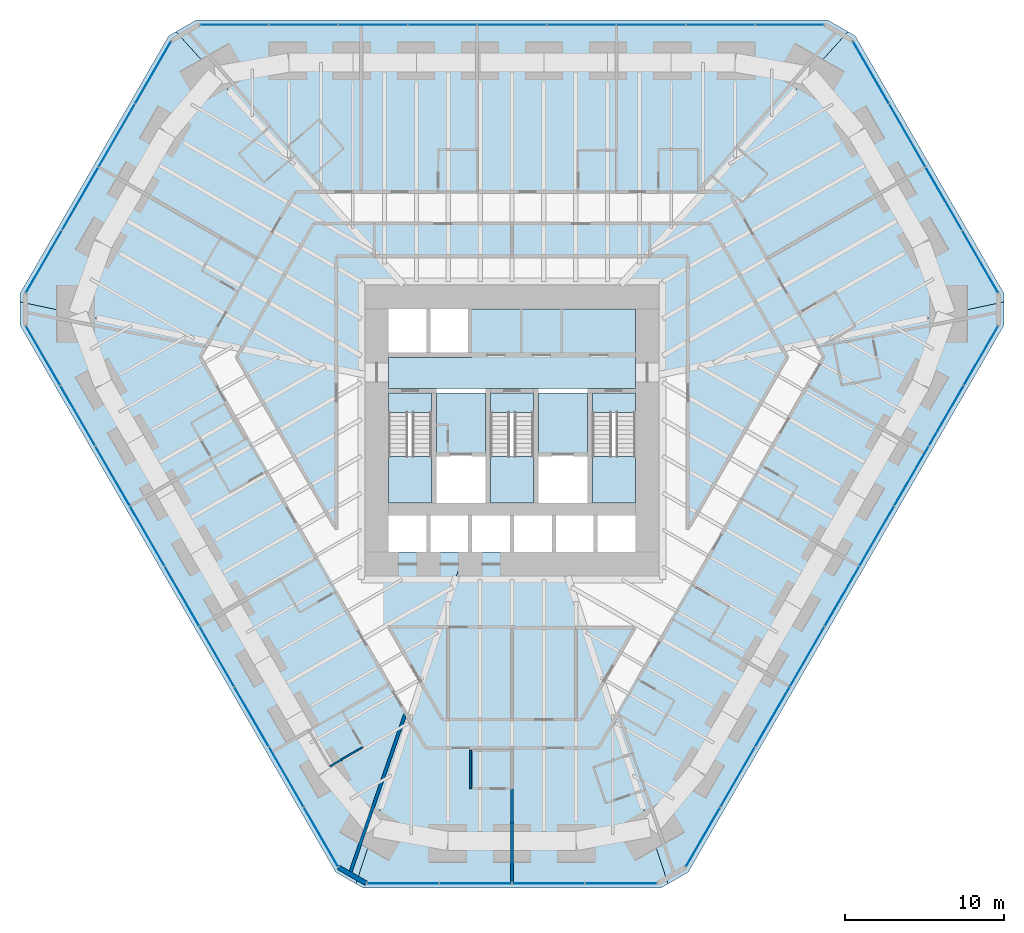
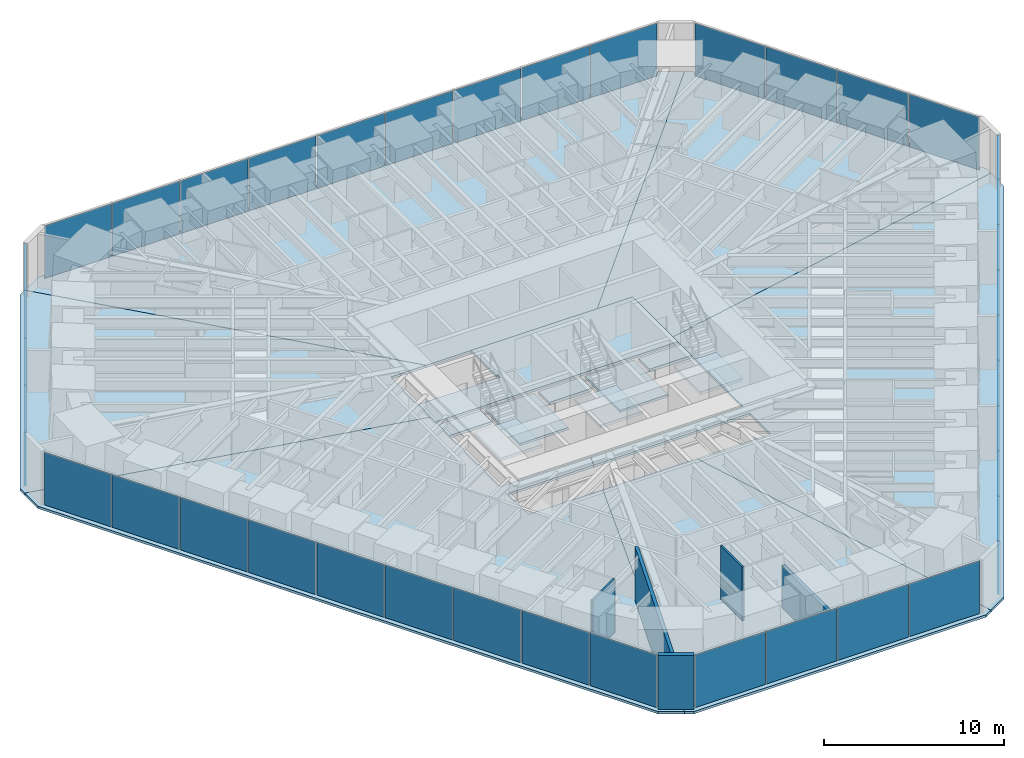
# One storey, part 10 of 17: 39 plates, 15 slabs, 5 walls, 9 elements without a shape of their own.
"""IFC4 building model written with IfcOpenShell, lengths in metres."""

import ifcopenshell
import ifcopenshell.guid

model = None  # the IFC model being written
_history = None  # IfcOwnerHistory: only IFC2X3 demands one
_inside = {}  # id of a spatial element -> (the spatial element, [elements in it])
_under = {}  # id of a project, library or spatial element -> (it, [spatial elements below it])
_declared = {}  # id of a project -> (the project, [libraries it declares])
_typed = {}  # id of a type object -> (the type object, [elements of that type])
_made_of = {}  # id of a material, layer set ... -> (it, [elements and type objects made of it])


def new_model(schema):
    """Start an empty IFC model of exactly this schema.

    Asked for "IFC4X3", IfcOpenShell would pick the latest addendum, in which some entities
    have other attributes; the version numbers below select the first issue.
    IFC2X3 requires an IfcOwnerHistory on every rooted entity: one is made here for all.
    """
    global model, _history
    if schema == "IFC4X3":
        model = ifcopenshell.file(schema_version=(4, 3, 0, 0))
    else:
        model = ifcopenshell.file(schema=schema)
    _inside.clear()
    _under.clear()
    _declared.clear()
    _typed.clear()
    _made_of.clear()
    _history = None
    if model.schema == "IFC2X3":
        org = make("IfcOrganization", Name="unknown")
        user = make(
            "IfcPersonAndOrganization",
            ThePerson=make("IfcPerson", FamilyName="unknown"),
            TheOrganization=org,
        )
        app = make(
            "IfcApplication",
            ApplicationDeveloper=org,
            Version="unknown",
            ApplicationFullName="unknown",
            ApplicationIdentifier="unknown",
        )
        _history = make(
            "IfcOwnerHistory",
            OwningUser=user,
            OwningApplication=app,
            ChangeAction="ADDED",
            CreationDate=0,
        )
    return model


def make(cls, **values):
    """One entity of the class cls with the attributes given. An attribute that is None is left unset."""
    return model.create_entity(
        cls, **{name: value for name, value in values.items() if value is not None}
    )


def rooted(cls, **values):
    """An entity with a GlobalId (a new one), such as an element, a storey or a relation."""
    return make(cls, GlobalId=ifcopenshell.guid.new(), OwnerHistory=_history, **values)


def si_unit(unit_type, name, prefix=None):
    """IfcSIUnit, for example si_unit("LENGTHUNIT", "METRE", prefix="MILLI")."""
    return make("IfcSIUnit", UnitType=unit_type, Prefix=prefix, Name=name)


def assignment(units):
    """IfcUnitAssignment: the units of a project."""
    return None if units is None else make("IfcUnitAssignment", Units=units)


def point(xyz):
    """IfcCartesianPoint."""
    return None if xyz is None else make("IfcCartesianPoint", Coordinates=xyz)


def direction(xyz):
    """IfcDirection."""
    return None if xyz is None else make("IfcDirection", DirectionRatios=xyz)


def frame(location, z_axis=None, x_axis=None):
    """IfcAxis2Placement3D, a coordinate frame: its origin and axes. An axis left out is left unset."""
    return make(
        "IfcAxis2Placement3D",
        Location=point(location),
        Axis=direction(z_axis),
        RefDirection=direction(x_axis),
    )


def frame_2d(location, x_axis=None):
    """IfcAxis2Placement2D, a coordinate frame in the plane: its origin and x axis."""
    return make(
        "IfcAxis2Placement2D", Location=point(location), RefDirection=direction(x_axis)
    )


def origin():
    """The frame at (0, 0, 0) with its axes left unset."""
    return frame((0.0, 0.0, 0.0))


def origin_2d():
    """The frame at (0, 0) in the plane with its x axis left unset."""
    return frame_2d((0.0, 0.0))


def place(relative_to, where):
    """IfcLocalPlacement: puts the frame where relative to a parent placement (None: the world)."""
    return make(
        "IfcLocalPlacement", PlacementRelTo=relative_to, RelativePlacement=where
    )


def context(
    kind, dimensions, precision=None, world=None, true_north=None, identifier=None
):
    """IfcGeometricRepresentationContext, for example the 3D "Model" context."""
    return make(
        "IfcGeometricRepresentationContext",
        ContextIdentifier=identifier,
        ContextType=kind,
        CoordinateSpaceDimension=dimensions,
        Precision=precision,
        WorldCoordinateSystem=world,
        TrueNorth=true_north,
    )


def subcontext(parent, identifier, kind, view, scale=None):
    """IfcGeometricRepresentationSubContext, for example "Body" below "Model"."""
    return make(
        "IfcGeometricRepresentationSubContext",
        ContextIdentifier=identifier,
        ContextType=kind,
        ParentContext=parent,
        TargetScale=scale,
        TargetView=view,
    )


def project(units=None, contexts=None):
    """IfcProject with its units and contexts."""
    return rooted(
        "IfcProject",
        Name="project",
        RepresentationContexts=contexts,
        UnitsInContext=assignment(units),
    )


def spatial(cls, under=None, at=None, **own):
    """A site, building, storey or space (cls), placed at a placement, below another one or the project."""
    s = rooted(cls, ObjectPlacement=at, **own)
    if under is not None:
        _under.setdefault(under.id(), (under, []))[1].append(s)
    return s


def polyline(points):
    """IfcPolyline through the points."""
    return make("IfcPolyline", Points=[point(p) for p in points])


def profile(cls, at=None, kind="AREA", **sizes):
    """A parametric profile (cls). Its sizes go by their IFC names, for example OverallWidth=200.0."""
    return make(cls, ProfileType=kind, Position=at, **sizes)


def rectangle(**sizes):
    """IfcRectangleProfileDef."""
    return profile("IfcRectangleProfileDef", **sizes)


def outline(outer, holes=None, kind="AREA"):
    """IfcArbitraryClosedProfileDef: a profile drawn as a closed curve; with holes, ...WithVoids."""
    if holes is None:
        return make("IfcArbitraryClosedProfileDef", ProfileType=kind, OuterCurve=outer)
    return make(
        "IfcArbitraryProfileDefWithVoids",
        ProfileType=kind,
        OuterCurve=outer,
        InnerCurves=holes,
    )


def extrude(swept, where, along, depth):
    """IfcExtrudedAreaSolid: the profile swept, set in the frame where, extruded along a direction by depth."""
    return make(
        "IfcExtrudedAreaSolid",
        SweptArea=swept,
        Position=where,
        ExtrudedDirection=direction(along),
        Depth=depth,
    )


def shape(context_of_items, identifier, shape_type, items):
    """IfcShapeRepresentation: the items that make up one representation, for example the "Body"."""
    return make(
        "IfcShapeRepresentation",
        ContextOfItems=context_of_items,
        RepresentationIdentifier=identifier,
        RepresentationType=shape_type,
        Items=items,
    )


def material(Name=None, Category=None):
    """IfcMaterial."""
    return make("IfcMaterial", Name=Name, Category=Category)


def layer(
    of_material, thickness, ventilated=None, Name=None, Category=None, Priority=None
):
    """IfcMaterialLayer: one layer of a wall or slab, of a material (None: an air gap)."""
    return make(
        "IfcMaterialLayer",
        Material=of_material,
        LayerThickness=thickness,
        IsVentilated=ventilated,
        Name=Name,
        Category=Category,
        Priority=Priority,
    )


def layer_set(layers, Name=None):
    """IfcMaterialLayerSet."""
    return make("IfcMaterialLayerSet", MaterialLayers=layers, LayerSetName=Name)


def made_of(thing, what):
    """Note that an element or type object is made of a material, layer set ...; save() writes the relation."""
    if what is not None:
        _made_of.setdefault(what.id(), (what, []))[1].append(thing)
    return thing


def type_object(cls, material=None, **own):
    """A type object (cls), such as IfcWallType, which elements share."""
    return made_of(rooted(cls, **own), material)


def element(
    cls,
    number,
    at=None,
    inside=None,
    cuts=None,
    type_object=None,
    material=None,
    context=None,
    identifier="Body",
    shape_type=None,
    held_by="IfcProductDefinitionShape",
    body=None,
    shapes=None,
    **own,
):
    """One element of the class cls, such as IfcWall. Its Tag is "e" and its number.

    at: its placement. inside: the storey or other place that contains it. cuts: it is an
    opening in that element (IfcRelVoidsElement). A single representation is given by context,
    identifier, shape_type and body (its items); several are given by shapes. held_by: the class
    of the entity that holds the representations. save() writes the other relations.
    """
    e = rooted(cls, Tag="e%d" % number, ObjectPlacement=at, **own)
    if body is not None:
        shapes = [shape(context, identifier, shape_type, body)]
    if shapes is not None:
        e.Representation = make(held_by, Representations=shapes)
    if inside is not None:
        _inside.setdefault(inside.id(), (inside, []))[1].append(e)
    if cuts is not None:
        rooted(
            "IfcRelVoidsElement", RelatingBuildingElement=cuts, RelatedOpeningElement=e
        )
    if type_object is not None:
        _typed.setdefault(type_object.id(), (type_object, []))[1].append(e)
    return made_of(e, material)


def aggregate(whole, parts):
    """IfcRelAggregates: a whole, such as a stair, and the parts it consists of."""
    return rooted("IfcRelAggregates", RelatingObject=whole, RelatedObjects=parts)


def save(model, path):
    """Write the relations noted so far, then the file.

    IfcRelAggregates (storeys below a building ...), IfcRelContainedInSpatialStructure (elements
    in a storey), IfcRelDefinesByType, IfcRelAssociatesMaterial and IfcRelDeclares: one each for
    every whole, place, type object, material and project.
    """
    for whole, parts in _under.values():
        aggregate(whole, parts)
    for where, things in _inside.values():
        rooted(
            "IfcRelContainedInSpatialStructure",
            RelatedElements=things,
            RelatingStructure=where,
        )
    for kind, things in _typed.values():
        rooted("IfcRelDefinesByType", RelatedObjects=things, RelatingType=kind)
    for what, things in _made_of.values():
        rooted("IfcRelAssociatesMaterial", RelatedObjects=things, RelatingMaterial=what)
    for by, libraries in _declared.values():
        rooted("IfcRelDeclares", RelatingContext=by, RelatedDefinitions=libraries)
    model.write(path)


model = new_model("IFC4")

# Units and contexts
model_context = context("Model", 3, precision=1e-05, world=origin(), true_north=direction((0.0, 1.0)))
body_context = subcontext(model_context, "Body", "Model", "MODEL_VIEW")
ifc_project = project(units=[si_unit("LENGTHUNIT", "METRE"), si_unit("AREAUNIT", "SQUARE_METRE"), si_unit("VOLUMEUNIT", "CUBIC_METRE"), si_unit("PLANEANGLEUNIT", "RADIAN"), si_unit("MASSUNIT", "GRAM", prefix="KILO")], contexts=[model_context])

# Site, building, storey
site_placement = place(None, origin())
site = spatial("IfcSite", under=ifc_project, at=site_placement, CompositionType="ELEMENT")
building_placement = place(site_placement, origin())
building = spatial("IfcBuilding", under=site, at=building_placement, Name="Sandreach Pilgrim Tower", CompositionType="ELEMENT")
storey_placement = place(building_placement, frame((0.0, 0.0, 83.800048828125)))
storey = spatial("IfcBuildingStorey", under=building, at=storey_placement, Name="L20", CompositionType="ELEMENT", Elevation=83.800048828125)

# Curtain wall, plates
ifc_material_1 = material(Name="Aluminium framed curtain wall", Category="aluminium")
curtain_wall_type = type_object("IfcCurtainWallType", Name="Hostel tower curtain wall", PredefinedType="NOTDEFINED", material=ifc_material_1)
curtain_wall_1_placement = place(storey_placement, origin())
curtain_wall_1 = element("IfcCurtainWall", 1, at=curtain_wall_1_placement, inside=storey, type_object=curtain_wall_type, Name="CW-1 L20 N", PredefinedType="NOTDEFINED")
ifc_material_2 = material(Name="Insulating glass unit 6 heat-strengthened + 12 argon + 6 heat-strengthened", Category="glass")
ifc_layer_1 = layer(ifc_material_2, 0.02392578125)
ifc_layer_set_1 = layer_set([ifc_layer_1], Name="CW-1 panel")
plate_type = type_object("IfcPlateType", Name="CW-1 panel", PredefinedType="CURTAIN_PANEL", material=ifc_layer_set_1)
plate_1_placement = place(storey_placement, frame((-17.469970703125, 23.94873046875, 0.0), z_axis=(0.0, 0.0, 1.0), x_axis=(1.0, 0.0, 0.0)))
plate_1 = element("IfcPlate", 2, at=plate_1_placement, type_object=plate_type, Name="CW-1 panel 1", PredefinedType="CURTAIN_PANEL", context=body_context, shape_type="SweptSolid", body=[
    extrude(rectangle(XDim=4.274169921875, YDim=0.02392578125, at=origin_2d()), origin(), (0.0, 0.0, 1.0), 3.570068359375),
])
plate_2_placement = place(storey_placement, frame((-13.11474609375, 23.94873046875, 0.0), z_axis=(0.0, 0.0, 1.0), x_axis=(1.0, 0.0, 0.0)))
plate_2 = element("IfcPlate", 3, at=plate_2_placement, type_object=plate_type, Name="CW-1 panel 2", PredefinedType="CURTAIN_PANEL", context=body_context, shape_type="SweptSolid", body=[
    extrude(rectangle(XDim=4.306640625, YDim=0.02392578125, at=origin_2d()), origin(), (0.0, 0.0, 1.0), 3.570068359375),
])
plate_3_placement = place(storey_placement, frame((-8.7431640625, 23.94873046875, 0.0), z_axis=(0.0, 0.0, 1.0), x_axis=(1.0, 0.0, 0.0)))
plate_3 = element("IfcPlate", 4, at=plate_3_placement, type_object=plate_type, Name="CW-1 panel 3", PredefinedType="CURTAIN_PANEL", context=body_context, shape_type="SweptSolid", body=[
    extrude(rectangle(XDim=4.306640625, YDim=0.02392578125, at=origin_2d()), origin(), (0.0, 0.0, 1.0), 3.570068359375),
])
plate_4_placement = place(storey_placement, frame((-4.37158203125, 23.94873046875, 0.0), z_axis=(0.0, 0.0, 1.0), x_axis=(1.0, 0.0, 0.0)))
plate_4 = element("IfcPlate", 5, at=plate_4_placement, type_object=plate_type, Name="CW-1 panel 4", PredefinedType="CURTAIN_PANEL", context=body_context, shape_type="SweptSolid", body=[
    extrude(rectangle(XDim=4.306640625, YDim=0.02392578125, at=origin_2d()), origin(), (0.0, 0.0, 1.0), 3.570068359375),
])
plate_5_placement = place(storey_placement, frame((0.0, 23.94873046875, 0.0), z_axis=(0.0, 0.0, 1.0), x_axis=(1.0, 0.0, 0.0)))
plate_5 = element("IfcPlate", 6, at=plate_5_placement, type_object=plate_type, Name="CW-1 panel 5", PredefinedType="CURTAIN_PANEL", context=body_context, shape_type="SweptSolid", body=[
    extrude(rectangle(XDim=4.306640625, YDim=0.02392578125, at=origin_2d()), origin(), (0.0, 0.0, 1.0), 3.570068359375),
])
plate_6_placement = place(storey_placement, frame((4.37158203125, 23.94873046875, 0.0), z_axis=(0.0, 0.0, 1.0), x_axis=(1.0, 0.0, 0.0)))
plate_6 = element("IfcPlate", 7, at=plate_6_placement, type_object=plate_type, Name="CW-1 panel 6", PredefinedType="CURTAIN_PANEL", context=body_context, shape_type="SweptSolid", body=[
    extrude(rectangle(XDim=4.306640625, YDim=0.02392578125, at=origin_2d()), origin(), (0.0, 0.0, 1.0), 3.570068359375),
])
plate_7_placement = place(storey_placement, frame((8.7431640625, 23.94873046875, 0.0), z_axis=(0.0, 0.0, 1.0), x_axis=(1.0, 0.0, 0.0)))
plate_7 = element("IfcPlate", 8, at=plate_7_placement, type_object=plate_type, Name="CW-1 panel 7", PredefinedType="CURTAIN_PANEL", context=body_context, shape_type="SweptSolid", body=[
    extrude(rectangle(XDim=4.306640625, YDim=0.02392578125, at=origin_2d()), origin(), (0.0, 0.0, 1.0), 3.570068359375),
])
plate_8_placement = place(storey_placement, frame((13.11474609375, 23.94873046875, 0.0), z_axis=(0.0, 0.0, 1.0), x_axis=(1.0, 0.0, 0.0)))
plate_8 = element("IfcPlate", 9, at=plate_8_placement, type_object=plate_type, Name="CW-1 panel 8", PredefinedType="CURTAIN_PANEL", context=body_context, shape_type="SweptSolid", body=[
    extrude(rectangle(XDim=4.306640625, YDim=0.02392578125, at=origin_2d()), origin(), (0.0, 0.0, 1.0), 3.570068359375),
])
plate_9_placement = place(storey_placement, frame((17.469970703125, 23.94873046875, 0.0), z_axis=(0.0, 0.0, 1.0), x_axis=(1.0, 0.0, 0.0)))
plate_9 = element("IfcPlate", 10, at=plate_9_placement, type_object=plate_type, Name="CW-1 panel 9", PredefinedType="CURTAIN_PANEL", context=body_context, shape_type="SweptSolid", body=[
    extrude(rectangle(XDim=4.274169921875, YDim=0.02392578125, at=origin_2d()), origin(), (0.0, 0.0, 1.0), 3.570068359375),
])
aggregate(curtain_wall_1, [plate_1, plate_2, plate_3, plate_4, plate_5, plate_6, plate_7, plate_8, plate_9])

curtain_wall_2_placement = place(storey_placement, origin())
curtain_wall_2 = element("IfcCurtainWall", 11, at=curtain_wall_2_placement, inside=storey, type_object=curtain_wall_type, Name="CW-1 L20 NE", PredefinedType="NOTDEFINED")
plate_10_placement = place(storey_placement, frame((22.558837890625, 20.94873046875, 0.0), z_axis=(0.0, 0.0, 1.0), x_axis=(0.5, -0.866025403784, 0.0)))
plate_10 = element("IfcPlate", 12, at=plate_10_placement, type_object=plate_type, Name="CW-1 panel 1", PredefinedType="CURTAIN_PANEL", context=body_context, shape_type="SweptSolid", body=[
    extrude(rectangle(XDim=4.488525390625, YDim=0.02392578125, at=origin_2d()), origin(), (0.0, 0.0, 1.0), 3.570068359375),
])
plate_11_placement = place(storey_placement, frame((24.84375, 16.9912109375, 0.0), z_axis=(0.0, 0.0, 1.0), x_axis=(0.5, -0.866025403784, 0.0)))
plate_11 = element("IfcPlate", 13, at=plate_11_placement, type_object=plate_type, Name="CW-1 panel 2", PredefinedType="CURTAIN_PANEL", context=body_context, shape_type="SweptSolid", body=[
    extrude(rectangle(XDim=4.52099609375, YDim=0.02392578125, at=origin_2d()), origin(), (0.0, 0.0, 1.0), 3.570068359375),
])
plate_12_placement = place(storey_placement, frame((27.13671875, 13.01953125, 0.0), z_axis=(0.0, 0.0, 1.0), x_axis=(0.5, -0.866025403784, 0.0)))
plate_12 = element("IfcPlate", 14, at=plate_12_placement, type_object=plate_type, Name="CW-1 panel 3", PredefinedType="CURTAIN_PANEL", context=body_context, shape_type="SweptSolid", body=[
    extrude(rectangle(XDim=4.52099609375, YDim=0.02392578125, at=origin_2d()), origin(), (0.0, 0.0, 1.0), 3.570068359375),
])
plate_13_placement = place(storey_placement, frame((29.421630859375, 9.06201171875, 0.0), z_axis=(0.0, 0.0, 1.0), x_axis=(0.5, -0.866025403784, 0.0)))
plate_13 = element("IfcPlate", 15, at=plate_13_placement, type_object=plate_type, Name="CW-1 panel 4", PredefinedType="CURTAIN_PANEL", context=body_context, shape_type="SweptSolid", body=[
    extrude(rectangle(XDim=4.488525390625, YDim=0.02392578125, at=origin_2d()), origin(), (0.0, 0.0, 1.0), 3.570068359375),
])
aggregate(curtain_wall_2, [plate_10, plate_11, plate_12, plate_13])

curtain_wall_3_placement = place(storey_placement, origin())
curtain_wall_3 = element("IfcCurtainWall", 16, at=curtain_wall_3_placement, inside=storey, type_object=curtain_wall_type, Name="CW-1 L20 SE", PredefinedType="NOTDEFINED")
plate_14_placement = place(storey_placement, frame((29.475341796875, 3.1552734375, 0.0), z_axis=(0.0, 0.0, 1.0), x_axis=(-0.5, -0.866025403784, 0.0)))
plate_14 = element("IfcPlate", 17, at=plate_14_placement, type_object=plate_type, Name="CW-1 panel 1", PredefinedType="CURTAIN_PANEL", context=body_context, shape_type="SweptSolid", body=[
    extrude(rectangle(XDim=4.274169921875, YDim=0.02392578125, at=origin_2d()), origin(), (0.0, 0.0, 1.0), 3.570068359375),
])
plate_15_placement = place(storey_placement, frame((27.297607421875, -0.61669921875, 0.0), z_axis=(0.0, 0.0, 1.0), x_axis=(-0.5, -0.866025403784, 0.0)))
plate_15 = element("IfcPlate", 18, at=plate_15_placement, type_object=plate_type, Name="CW-1 panel 2", PredefinedType="CURTAIN_PANEL", context=body_context, shape_type="SweptSolid", body=[
    extrude(rectangle(XDim=4.306640625, YDim=0.02392578125, at=origin_2d()), origin(), (0.0, 0.0, 1.0), 3.570068359375),
])
plate_16_placement = place(storey_placement, frame((25.11181640625, -4.402587890625, 0.0), z_axis=(0.0, 0.0, 1.0), x_axis=(-0.5, -0.866025403784, 0.0)))
plate_16 = element("IfcPlate", 19, at=plate_16_placement, type_object=plate_type, Name="CW-1 panel 3", PredefinedType="CURTAIN_PANEL", context=body_context, shape_type="SweptSolid", body=[
    extrude(rectangle(XDim=4.306640625, YDim=0.02392578125, at=origin_2d()), origin(), (0.0, 0.0, 1.0), 3.570068359375),
])
plate_17_placement = place(storey_placement, frame((22.926025390625, -8.1884765625, 0.0), z_axis=(0.0, 0.0, 1.0), x_axis=(-0.5, -0.866025403784, 0.0)))
plate_17 = element("IfcPlate", 20, at=plate_17_placement, type_object=plate_type, Name="CW-1 panel 4", PredefinedType="CURTAIN_PANEL", context=body_context, shape_type="SweptSolid", body=[
    extrude(rectangle(XDim=4.306640625, YDim=0.02392578125, at=origin_2d()), origin(), (0.0, 0.0, 1.0), 3.570068359375),
])
plate_18_placement = place(storey_placement, frame((20.740234375, -11.974365234375, 0.0), z_axis=(0.0, 0.0, 1.0), x_axis=(-0.5, -0.866025403784, 0.0)))
plate_18 = element("IfcPlate", 21, at=plate_18_placement, type_object=plate_type, Name="CW-1 panel 5", PredefinedType="CURTAIN_PANEL", context=body_context, shape_type="SweptSolid", body=[
    extrude(rectangle(XDim=4.306640625, YDim=0.02392578125, at=origin_2d()), origin(), (0.0, 0.0, 1.0), 3.570068359375),
])
plate_19_placement = place(storey_placement, frame((18.554443359375, -15.76025390625, 0.0), z_axis=(0.0, 0.0, 1.0), x_axis=(-0.5, -0.866025403784, 0.0)))
plate_19 = element("IfcPlate", 22, at=plate_19_placement, type_object=plate_type, Name="CW-1 panel 6", PredefinedType="CURTAIN_PANEL", context=body_context, shape_type="SweptSolid", body=[
    extrude(rectangle(XDim=4.306640625, YDim=0.02392578125, at=origin_2d()), origin(), (0.0, 0.0, 1.0), 3.570068359375),
])
plate_20_placement = place(storey_placement, frame((16.36865234375, -19.546142578125, 0.0), z_axis=(0.0, 0.0, 1.0), x_axis=(-0.5, -0.866025403784, 0.0)))
plate_20 = element("IfcPlate", 23, at=plate_20_placement, type_object=plate_type, Name="CW-1 panel 7", PredefinedType="CURTAIN_PANEL", context=body_context, shape_type="SweptSolid", body=[
    extrude(rectangle(XDim=4.306640625, YDim=0.02392578125, at=origin_2d()), origin(), (0.0, 0.0, 1.0), 3.570068359375),
])
plate_21_placement = place(storey_placement, frame((14.182861328125, -23.33203125, 0.0), z_axis=(0.0, 0.0, 1.0), x_axis=(-0.5, -0.866025403784, 0.0)))
plate_21 = element("IfcPlate", 24, at=plate_21_placement, type_object=plate_type, Name="CW-1 panel 8", PredefinedType="CURTAIN_PANEL", context=body_context, shape_type="SweptSolid", body=[
    extrude(rectangle(XDim=4.306640625, YDim=0.02392578125, at=origin_2d()), origin(), (0.0, 0.0, 1.0), 3.570068359375),
])
plate_22_placement = place(storey_placement, frame((12.005126953125, -27.103759765625, 0.0), z_axis=(0.0, 0.0, 1.0), x_axis=(-0.5, -0.866025403784, 0.0)))
plate_22 = element("IfcPlate", 25, at=plate_22_placement, type_object=plate_type, Name="CW-1 panel 9", PredefinedType="CURTAIN_PANEL", context=body_context, shape_type="SweptSolid", body=[
    extrude(rectangle(XDim=4.274169921875, YDim=0.02392578125, at=origin_2d()), origin(), (0.0, 0.0, 1.0), 3.570068359375),
])
aggregate(curtain_wall_3, [plate_14, plate_15, plate_16, plate_17, plate_18, plate_19, plate_20, plate_21, plate_22])

curtain_wall_4_placement = place(storey_placement, origin())
curtain_wall_4 = element("IfcCurtainWall", 26, at=curtain_wall_4_placement, inside=storey, type_object=curtain_wall_type, Name="CW-1 L20 S", PredefinedType="NOTDEFINED")
plate_23_placement = place(storey_placement, frame((6.86279296875, -30.010986328125, 0.0), z_axis=(0.0, 0.0, 1.0), x_axis=(-1.0, 0.0, 0.0)))
plate_23 = element("IfcPlate", 27, at=plate_23_placement, type_object=plate_type, Name="CW-1 panel 1", PredefinedType="CURTAIN_PANEL", context=body_context, shape_type="SweptSolid", body=[
    extrude(rectangle(XDim=4.488525390625, YDim=0.02392578125, at=origin_2d()), origin(), (0.0, 0.0, 1.0), 3.570068359375),
])
plate_24_placement = place(storey_placement, frame((2.29296875, -30.010986328125, 0.0), z_axis=(0.0, 0.0, 1.0), x_axis=(-1.0, 0.0, 0.0)))
plate_24 = element("IfcPlate", 28, at=plate_24_placement, type_object=plate_type, Name="CW-1 panel 2", PredefinedType="CURTAIN_PANEL", context=body_context, shape_type="SweptSolid", body=[
    extrude(rectangle(XDim=4.52099609375, YDim=0.02392578125, at=origin_2d()), origin(), (0.0, 0.0, 1.0), 3.570068359375),
])
plate_25_placement = place(storey_placement, frame((-2.29296875, -30.010986328125, 0.0), z_axis=(0.0, 0.0, 1.0), x_axis=(-1.0, 0.0, 0.0)))
plate_25 = element("IfcPlate", 29, at=plate_25_placement, type_object=plate_type, Name="CW-1 panel 3", PredefinedType="CURTAIN_PANEL", context=body_context, shape_type="SweptSolid", body=[
    extrude(rectangle(XDim=4.52099609375, YDim=0.02392578125, at=origin_2d()), origin(), (0.0, 0.0, 1.0), 3.570068359375),
])
plate_26_placement = place(storey_placement, frame((-6.86279296875, -30.010986328125, 0.0), z_axis=(0.0, 0.0, 1.0), x_axis=(-1.0, 0.0, 0.0)))
plate_26 = element("IfcPlate", 30, at=plate_26_placement, type_object=plate_type, Name="CW-1 panel 4", PredefinedType="CURTAIN_PANEL", context=body_context, shape_type="SweptSolid", body=[
    extrude(rectangle(XDim=4.488525390625, YDim=0.02392578125, at=origin_2d()), origin(), (0.0, 0.0, 1.0), 3.570068359375),
])
aggregate(curtain_wall_4, [plate_23, plate_24, plate_25, plate_26])

curtain_wall_5_placement = place(storey_placement, origin())
curtain_wall_5 = element("IfcCurtainWall", 31, at=curtain_wall_5_placement, inside=storey, type_object=curtain_wall_type, Name="CW-1 L20 SW", PredefinedType="NOTDEFINED")
plate_27_placement = place(storey_placement, frame((-12.005126953125, -27.103759765625, 0.0), z_axis=(0.0, 0.0, 1.0), x_axis=(-0.5, 0.866025403784, 0.0)))
plate_27 = element("IfcPlate", 32, at=plate_27_placement, type_object=plate_type, Name="CW-1 panel 1", PredefinedType="CURTAIN_PANEL", context=body_context, shape_type="SweptSolid", body=[
    extrude(rectangle(XDim=4.274169921875, YDim=0.02392578125, at=origin_2d()), origin(), (0.0, 0.0, 1.0), 3.570068359375),
])
plate_28_placement = place(storey_placement, frame((-14.182861328125, -23.33203125, 0.0), z_axis=(0.0, 0.0, 1.0), x_axis=(-0.5, 0.866025403784, 0.0)))
plate_28 = element("IfcPlate", 33, at=plate_28_placement, type_object=plate_type, Name="CW-1 panel 2", PredefinedType="CURTAIN_PANEL", context=body_context, shape_type="SweptSolid", body=[
    extrude(rectangle(XDim=4.306640625, YDim=0.02392578125, at=origin_2d()), origin(), (0.0, 0.0, 1.0), 3.570068359375),
])
plate_29_placement = place(storey_placement, frame((-16.36865234375, -19.546142578125, 0.0), z_axis=(0.0, 0.0, 1.0), x_axis=(-0.5, 0.866025403784, 0.0)))
plate_29 = element("IfcPlate", 34, at=plate_29_placement, type_object=plate_type, Name="CW-1 panel 3", PredefinedType="CURTAIN_PANEL", context=body_context, shape_type="SweptSolid", body=[
    extrude(rectangle(XDim=4.306640625, YDim=0.02392578125, at=origin_2d()), origin(), (0.0, 0.0, 1.0), 3.570068359375),
])
plate_30_placement = place(storey_placement, frame((-18.554443359375, -15.76025390625, 0.0), z_axis=(0.0, 0.0, 1.0), x_axis=(-0.5, 0.866025403784, 0.0)))
plate_30 = element("IfcPlate", 35, at=plate_30_placement, type_object=plate_type, Name="CW-1 panel 4", PredefinedType="CURTAIN_PANEL", context=body_context, shape_type="SweptSolid", body=[
    extrude(rectangle(XDim=4.306640625, YDim=0.02392578125, at=origin_2d()), origin(), (0.0, 0.0, 1.0), 3.570068359375),
])
plate_31_placement = place(storey_placement, frame((-20.740234375, -11.974365234375, 0.0), z_axis=(0.0, 0.0, 1.0), x_axis=(-0.5, 0.866025403784, 0.0)))
plate_31 = element("IfcPlate", 36, at=plate_31_placement, type_object=plate_type, Name="CW-1 panel 5", PredefinedType="CURTAIN_PANEL", context=body_context, shape_type="SweptSolid", body=[
    extrude(rectangle(XDim=4.306640625, YDim=0.02392578125, at=origin_2d()), origin(), (0.0, 0.0, 1.0), 3.570068359375),
])
plate_32_placement = place(storey_placement, frame((-22.926025390625, -8.1884765625, 0.0), z_axis=(0.0, 0.0, 1.0), x_axis=(-0.5, 0.866025403784, 0.0)))
plate_32 = element("IfcPlate", 37, at=plate_32_placement, type_object=plate_type, Name="CW-1 panel 6", PredefinedType="CURTAIN_PANEL", context=body_context, shape_type="SweptSolid", body=[
    extrude(rectangle(XDim=4.306640625, YDim=0.02392578125, at=origin_2d()), origin(), (0.0, 0.0, 1.0), 3.570068359375),
])
plate_33_placement = place(storey_placement, frame((-25.11181640625, -4.402587890625, 0.0), z_axis=(0.0, 0.0, 1.0), x_axis=(-0.5, 0.866025403784, 0.0)))
plate_33 = element("IfcPlate", 38, at=plate_33_placement, type_object=plate_type, Name="CW-1 panel 7", PredefinedType="CURTAIN_PANEL", context=body_context, shape_type="SweptSolid", body=[
    extrude(rectangle(XDim=4.306640625, YDim=0.02392578125, at=origin_2d()), origin(), (0.0, 0.0, 1.0), 3.570068359375),
])
plate_34_placement = place(storey_placement, frame((-27.297607421875, -0.61669921875, 0.0), z_axis=(0.0, 0.0, 1.0), x_axis=(-0.5, 0.866025403784, 0.0)))
plate_34 = element("IfcPlate", 39, at=plate_34_placement, type_object=plate_type, Name="CW-1 panel 8", PredefinedType="CURTAIN_PANEL", context=body_context, shape_type="SweptSolid", body=[
    extrude(rectangle(XDim=4.306640625, YDim=0.02392578125, at=origin_2d()), origin(), (0.0, 0.0, 1.0), 3.570068359375),
])
plate_35_placement = place(storey_placement, frame((-29.475341796875, 3.1552734375, 0.0), z_axis=(0.0, 0.0, 1.0), x_axis=(-0.5, 0.866025403784, 0.0)))
plate_35 = element("IfcPlate", 40, at=plate_35_placement, type_object=plate_type, Name="CW-1 panel 9", PredefinedType="CURTAIN_PANEL", context=body_context, shape_type="SweptSolid", body=[
    extrude(rectangle(XDim=4.274169921875, YDim=0.02392578125, at=origin_2d()), origin(), (0.0, 0.0, 1.0), 3.570068359375),
])
aggregate(curtain_wall_5, [plate_27, plate_28, plate_29, plate_30, plate_31, plate_32, plate_33, plate_34, plate_35])

curtain_wall_6_placement = place(storey_placement, origin())
curtain_wall_6 = element("IfcCurtainWall", 41, at=curtain_wall_6_placement, inside=storey, type_object=curtain_wall_type, Name="CW-1 L20 NW", PredefinedType="NOTDEFINED")
plate_36_placement = place(storey_placement, frame((-29.421630859375, 9.06201171875, 0.0), z_axis=(0.0, 0.0, 1.0), x_axis=(0.5, 0.866025403784, 0.0)))
plate_36 = element("IfcPlate", 42, at=plate_36_placement, type_object=plate_type, Name="CW-1 panel 1", PredefinedType="CURTAIN_PANEL", context=body_context, shape_type="SweptSolid", body=[
    extrude(rectangle(XDim=4.488525390625, YDim=0.02392578125, at=origin_2d()), origin(), (0.0, 0.0, 1.0), 3.570068359375),
])
plate_37_placement = place(storey_placement, frame((-27.13671875, 13.01953125, 0.0), z_axis=(0.0, 0.0, 1.0), x_axis=(0.5, 0.866025403784, 0.0)))
plate_37 = element("IfcPlate", 43, at=plate_37_placement, type_object=plate_type, Name="CW-1 panel 2", PredefinedType="CURTAIN_PANEL", context=body_context, shape_type="SweptSolid", body=[
    extrude(rectangle(XDim=4.52099609375, YDim=0.02392578125, at=origin_2d()), origin(), (0.0, 0.0, 1.0), 3.570068359375),
])
plate_38_placement = place(storey_placement, frame((-24.84375, 16.9912109375, 0.0), z_axis=(0.0, 0.0, 1.0), x_axis=(0.5, 0.866025403784, 0.0)))
plate_38 = element("IfcPlate", 44, at=plate_38_placement, type_object=plate_type, Name="CW-1 panel 3", PredefinedType="CURTAIN_PANEL", context=body_context, shape_type="SweptSolid", body=[
    extrude(rectangle(XDim=4.52099609375, YDim=0.02392578125, at=origin_2d()), origin(), (0.0, 0.0, 1.0), 3.570068359375),
])
plate_39_placement = place(storey_placement, frame((-22.558837890625, 20.94873046875, 0.0), z_axis=(0.0, 0.0, 1.0), x_axis=(0.5, 0.866025403784, 0.0)))
plate_39 = element("IfcPlate", 45, at=plate_39_placement, type_object=plate_type, Name="CW-1 panel 4", PredefinedType="CURTAIN_PANEL", context=body_context, shape_type="SweptSolid", body=[
    extrude(rectangle(XDim=4.488525390625, YDim=0.02392578125, at=origin_2d()), origin(), (0.0, 0.0, 1.0), 3.570068359375),
])
aggregate(curtain_wall_6, [plate_36, plate_37, plate_38, plate_39])

# Slabs
ifc_material_3 = material(Name="Concrete 8000 psi", Category="concrete")
ifc_layer_2 = layer(ifc_material_3, 0.159912109375)
ifc_layer_set_2 = layer_set([ifc_layer_2], Name="Composite floor slab 160")
slab_type_1 = type_object("IfcSlabType", Name="Composite floor slab 160", PredefinedType="FLOOR", material=ifc_layer_set_2)
slab_1_placement = place(storey_placement, frame((0.0, 0.0, -0.16015625)))
element("IfcSlab", 46, at=slab_1_placement, inside=storey, type_object=slab_type_1, Name="Floor slab L20 N sector", PredefinedType="FLOOR", context=body_context, shape_type="SweptSolid", body=[
    extrude(outline(polyline([(-19.84521484375, 24.248779296875), (19.84521484375, 24.248779296875), (21.115478515625, 23.515380859375), (5.477294921875, 6.10009765625), (-5.477294921875, 6.10009765625), (-21.115478515625, 23.515380859375), (-19.84521484375, 24.248779296875)])), origin(), (0.0, 0.0, 1.0), 0.16015625),
])
slab_2_placement = place(storey_placement, frame((0.0, 0.0, -0.16015625)))
element("IfcSlab", 47, at=slab_2_placement, inside=storey, type_object=slab_type_1, Name="Floor slab L20 NE sector", PredefinedType="FLOOR", context=body_context, shape_type="SweptSolid", body=[
    extrude(outline(polyline([(21.577392578125, 23.248779296875), (30.922607421875, 7.062255859375), (30.922607421875, 6.52880859375), (7.75, 1.63623046875), (7.75, 6.10009765625), (5.477294921875, 6.10009765625), (21.115478515625, 23.515380859375), (21.577392578125, 23.248779296875)])), origin(), (0.0, 0.0, 1.0), 0.16015625),
])
slab_3_placement = place(storey_placement, frame((0.0, 0.0, -0.16015625)))
element("IfcSlab", 48, at=slab_3_placement, inside=storey, type_object=slab_type_1, Name="Floor slab L20 SE sector", PredefinedType="FLOOR", context=body_context, shape_type="SweptSolid", body=[
    extrude(outline(polyline([(11.077392578125, -29.310791015625), (9.80712890625, -30.044189453125), (3.003173828125, -9.199951171875), (7.75, -9.199951171875), (7.75, -6.89990234375), (-2.252197265625, -6.89990234375), (-1.9912109375, -6.10009765625), (7.75, -6.10009765625), (7.75, 1.63623046875), (30.922607421875, 6.52880859375), (30.922607421875, 5.062255859375), (11.077392578125, -29.310791015625)])), origin(), (0.0, 0.0, 1.0), 0.16015625),
])
slab_4_placement = place(storey_placement, frame((0.0, 0.0, -0.16015625)))
element("IfcSlab", 49, at=slab_4_placement, inside=storey, type_object=slab_type_1, Name="Floor slab L20 S sector", PredefinedType="FLOOR", context=body_context, shape_type="SweptSolid", body=[
    extrude(outline(polyline([(9.34521484375, -30.310791015625), (-9.34521484375, -30.310791015625), (-9.80712890625, -30.044189453125), (-3.003173828125, -9.199951171875), (3.003173828125, -9.199951171875), (9.80712890625, -30.044189453125), (9.34521484375, -30.310791015625)])), origin(), (0.0, 0.0, 1.0), 0.16015625),
])
slab_5_placement = place(storey_placement, frame((0.0, 0.0, -0.16015625)))
element("IfcSlab", 50, at=slab_5_placement, inside=storey, type_object=slab_type_1, Name="Floor slab L20 SW sector", PredefinedType="FLOOR", context=body_context, shape_type="SweptSolid", body=[
    extrude(outline(polyline([(-11.077392578125, -29.310791015625), (-30.922607421875, 5.062255859375), (-30.922607421875, 6.52880859375), (-7.75, 1.63623046875), (-7.75, -6.10009765625), (-1.9912109375, -6.10009765625), (-2.252197265625, -6.89990234375), (-7.75, -6.89990234375), (-7.75, -9.199951171875), (-3.003173828125, -9.199951171875), (-9.80712890625, -30.044189453125), (-11.077392578125, -29.310791015625)])), origin(), (0.0, 0.0, 1.0), 0.16015625),
])
slab_6_placement = place(storey_placement, frame((0.0, 0.0, -0.16015625)))
element("IfcSlab", 51, at=slab_6_placement, inside=storey, type_object=slab_type_1, Name="Floor slab L20 NW sector", PredefinedType="FLOOR", context=body_context, shape_type="SweptSolid", body=[
    extrude(outline(polyline([(-30.922607421875, 7.062255859375), (-21.577392578125, 23.248779296875), (-21.115478515625, 23.515380859375), (-5.477294921875, 6.10009765625), (-7.75, 6.10009765625), (-7.75, 1.63623046875), (-30.922607421875, 6.52880859375), (-30.922607421875, 7.062255859375)])), origin(), (0.0, 0.0, 1.0), 0.16015625),
])
slab_7_placement = place(storey_placement, frame((0.0, 0.0, -0.16015625)))
element("IfcSlab", 52, at=slab_7_placement, inside=storey, type_object=slab_type_1, Name="Core floor slab and stores L20", PredefinedType="FLOOR", context=body_context, shape_type="SweptSolid", body=[
    extrude(outline(polyline([(-7.75, 3.050048828125), (-5.375, 3.050048828125), (-5.125, 3.050048828125), (-2.5, 3.050048828125), (-2.5, 3.35009765625), (-2.60009765625, 3.35009765625), (-2.60009765625, 6.10009765625), (7.75, 6.10009765625), (7.75, 1.10009765625), (5.050048828125, 1.10009765625), (4.75, 1.10009765625), (1.64990234375, 1.10009765625), (1.35009765625, 1.10009765625), (-1.35009765625, 1.10009765625), (-1.64990234375, 1.10009765625), (-4.75, 1.10009765625), (-5.050048828125, 1.10009765625), (-7.75, 1.10009765625), (-7.75, 3.050048828125)])), origin(), (0.0, 0.0, 1.0), 0.16015625),
])
slab_8_placement = place(storey_placement, frame((0.0, 0.0, -0.16015625)))
element("IfcSlab", 53, at=slab_8_placement, inside=storey, type_object=slab_type_1, Name="Core floor slab and stores L20 2", PredefinedType="FLOOR", context=body_context, shape_type="SweptSolid", body=[
    extrude(outline(polyline([(-1.64990234375, -3.050048828125), (-4.75, -3.050048828125), (-4.75, 0.800048828125), (-1.64990234375, 0.800048828125), (-1.64990234375, -3.050048828125)])), origin(), (0.0, 0.0, 1.0), 0.16015625),
])
slab_9_placement = place(storey_placement, frame((0.0, 0.0, -0.16015625)))
element("IfcSlab", 54, at=slab_9_placement, inside=storey, type_object=slab_type_1, Name="Core floor slab and stores L20 3", PredefinedType="FLOOR", context=body_context, shape_type="SweptSolid", body=[
    extrude(outline(polyline([(4.75, -3.050048828125), (1.64990234375, -3.050048828125), (1.64990234375, 0.800048828125), (4.75, 0.800048828125), (4.75, -3.050048828125)])), origin(), (0.0, 0.0, 1.0), 0.16015625),
])

# Stair, slabs
ifc_material_4 = material(Name="Concrete 8000 psi", Category="concrete")
stair_type = type_object("IfcStairType", Name="Core exit stair", PredefinedType="HALF_TURN_STAIR", material=ifc_material_4)
stair_1_placement = place(storey_placement, origin())
stair_1 = element("IfcStair", 55, at=stair_1_placement, inside=storey, type_object=stair_type, Name="Exit stair ST1 L20", PredefinedType="HALF_TURN_STAIR")
ifc_material_5 = material(Name="Concrete 8000 psi", Category="concrete")
ifc_layer_3 = layer(ifc_material_5, 0.199951171875)
ifc_layer_set_3 = layer_set([ifc_layer_3], Name="Core stair landing 200")
slab_type_2 = type_object("IfcSlabType", Name="Core stair landing 200", PredefinedType="LANDING", material=ifc_layer_set_3)
slab_10_placement = place(storey_placement, frame((0.0, 0.0, -0.199951171875)))
slab_10 = element("IfcSlab", 56, at=slab_10_placement, type_object=slab_type_2, Name="ST1 landing 1", PredefinedType="LANDING", context=body_context, shape_type="SweptSolid", body=[
    extrude(outline(polyline([(-7.75, -0.425048828125), (-5.050048828125, -0.425048828125), (-5.050048828125, 0.800048828125), (-7.75, 0.800048828125), (-7.75, -0.425048828125)])), origin(), (0.0, 0.0, 1.0), 0.199951171875),
])
slab_11_placement = place(storey_placement, frame((0.0, 0.0, 1.699951171875)))
slab_11 = element("IfcSlab", 57, at=slab_11_placement, type_object=slab_type_2, Name="ST1 landing 2", PredefinedType="LANDING", context=body_context, shape_type="SweptSolid", body=[
    extrude(outline(polyline([(-7.75, -6.10009765625), (-5.050048828125, -6.10009765625), (-5.050048828125, -3.175048828125), (-7.75, -3.175048828125), (-7.75, -6.10009765625)])), origin(), (0.0, 0.0, 1.0), 0.199951171875),
])
aggregate(stair_1, [slab_10, slab_11])

stair_2_placement = place(storey_placement, origin())
stair_2 = element("IfcStair", 58, at=stair_2_placement, inside=storey, type_object=stair_type, Name="Exit stair ST3 L20", PredefinedType="HALF_TURN_STAIR")
slab_12_placement = place(storey_placement, frame((0.0, 0.0, -0.199951171875)))
slab_12 = element("IfcSlab", 59, at=slab_12_placement, type_object=slab_type_2, Name="ST3 landing 1", PredefinedType="LANDING", context=body_context, shape_type="SweptSolid", body=[
    extrude(outline(polyline([(-1.35009765625, -0.425048828125), (1.35009765625, -0.425048828125), (1.35009765625, 0.800048828125), (-1.35009765625, 0.800048828125), (-1.35009765625, -0.425048828125)])), origin(), (0.0, 0.0, 1.0), 0.199951171875),
])
slab_13_placement = place(storey_placement, frame((0.0, 0.0, 1.699951171875)))
slab_13 = element("IfcSlab", 60, at=slab_13_placement, type_object=slab_type_2, Name="ST3 landing 2", PredefinedType="LANDING", context=body_context, shape_type="SweptSolid", body=[
    extrude(outline(polyline([(-1.35009765625, -6.10009765625), (1.35009765625, -6.10009765625), (1.35009765625, -3.175048828125), (-1.35009765625, -3.175048828125), (-1.35009765625, -6.10009765625)])), origin(), (0.0, 0.0, 1.0), 0.199951171875),
])
aggregate(stair_2, [slab_12, slab_13])

stair_3_placement = place(storey_placement, origin())
stair_3 = element("IfcStair", 61, at=stair_3_placement, inside=storey, type_object=stair_type, Name="Exit stair ST2 L20", PredefinedType="HALF_TURN_STAIR")
slab_14_placement = place(storey_placement, frame((0.0, 0.0, -0.199951171875)))
slab_14 = element("IfcSlab", 62, at=slab_14_placement, type_object=slab_type_2, Name="ST2 landing 1", PredefinedType="LANDING", context=body_context, shape_type="SweptSolid", body=[
    extrude(outline(polyline([(5.050048828125, -0.425048828125), (7.75, -0.425048828125), (7.75, 0.800048828125), (5.050048828125, 0.800048828125), (5.050048828125, -0.425048828125)])), origin(), (0.0, 0.0, 1.0), 0.199951171875),
])
slab_15_placement = place(storey_placement, frame((0.0, 0.0, 1.699951171875)))
slab_15 = element("IfcSlab", 63, at=slab_15_placement, type_object=slab_type_2, Name="ST2 landing 2", PredefinedType="LANDING", context=body_context, shape_type="SweptSolid", body=[
    extrude(outline(polyline([(5.050048828125, -6.10009765625), (7.75, -6.10009765625), (7.75, -3.175048828125), (5.050048828125, -3.175048828125), (5.050048828125, -6.10009765625)])), origin(), (0.0, 0.0, 1.0), 0.199951171875),
])
aggregate(stair_3, [slab_14, slab_15])

# Walls
ifc_material_6 = material(Name="Moisture-resistant gypsum board on steel studs", Category="steel")
ifc_layer_4 = layer(ifc_material_6, 0.1201171875)
ifc_layer_set_4 = layer_set([ifc_layer_4], Name="Bathroom partition 120")
wall_type_1 = type_object("IfcWallType", Name="Bathroom partition 120", PredefinedType="PARTITIONING", material=ifc_layer_set_4)
wall_1_placement = place(storey_placement, frame((-11.449951171875, -22.659912109375, 0.0), z_axis=(0.0, 0.0, 1.0), x_axis=(0.866177122335, 0.499737123639, 0.0)))
element("IfcWall", 64, at=wall_1_placement, inside=storey, type_object=wall_type_1, Name="Bathroom partition L20-042", PredefinedType="PARTITIONING", context=body_context, shape_type="SweptSolid", body=[
    extrude(rectangle(XDim=2.401123046875, YDim=0.1201171875, at=frame_2d((1.20068359375, 0.0))), origin(), (0.0, 0.0, 1.0), 3.639892578125),
])
wall_2_placement = place(storey_placement, frame((-2.60009765625, -21.659912109375, 0.0), z_axis=(0.0, 0.0, 1.0), x_axis=(0.0, -1.0, 0.0)))
element("IfcWall", 65, at=wall_2_placement, inside=storey, type_object=wall_type_1, Name="Bathroom partition L20-064", PredefinedType="PARTITIONING", context=body_context, shape_type="SweptSolid", body=[
    extrude(rectangle(XDim=2.400146484375, YDim=0.1201171875, at=frame_2d((1.2001953125, 0.0))), origin(), (0.0, 0.0, 1.0), 3.639892578125),
])
ifc_material_7 = material(Name="Double steel stud acoustic wall, gypsum board", Category="steel")
ifc_layer_5 = layer(ifc_material_7, 0.199951171875)
ifc_layer_set_5 = layer_set([ifc_layer_5], Name="Party wall 200")
wall_type_2 = type_object("IfcWallType", Name="Party wall 200", PredefinedType="PARTITIONING", material=ifc_layer_set_5)
wall_3_placement = place(storey_placement, frame((-10.2001953125, -29.441650390625, 0.0), z_axis=(0.0, 0.0, 1.0), x_axis=(0.327375786306, 0.944894223996, 0.0)))
element("IfcWall", 66, at=wall_3_placement, inside=storey, type_object=wall_type_2, Name="Party wall L20-048", PredefinedType="PARTITIONING", context=body_context, shape_type="SweptSolid", body=[
    extrude(rectangle(XDim=10.62255859375, YDim=0.199951171875, at=frame_2d((5.311279296875, 0.0))), origin(), (0.0, 0.0, 1.0), 3.639892578125),
])
wall_4_placement = place(storey_placement, frame((0.0, -29.889892578125, 0.0), z_axis=(0.0, 0.0, 1.0), x_axis=(0.0, 1.0, 0.0)))
element("IfcWall", 67, at=wall_4_placement, inside=storey, type_object=wall_type_2, Name="Party wall L20-069", PredefinedType="PARTITIONING", context=body_context, shape_type="SweptSolid", body=[
    extrude(rectangle(XDim=5.829833984375, YDim=0.199951171875, at=frame_2d((2.9150390625, 0.0))), origin(), (0.0, 0.0, 1.0), 2.860107421875),
])
ifc_material_8 = material(Name="Terracotta rainscreen on concrete", Category="masonry")
ifc_layer_6 = layer(ifc_material_8, 0.300048828125)
ifc_layer_set_6 = layer_set([ifc_layer_6], Name="Terracotta chamfer pier")
wall_type_3 = type_object("IfcWallType", Name="Terracotta chamfer pier", PredefinedType="SOLIDWALL", material=ifc_layer_set_6)
wall_5_placement = place(storey_placement, frame((-9.172119140625, -30.010986328125, 0.0), z_axis=(0.0, 0.0, 1.0), x_axis=(-0.866010750942, 0.50002537861, 0.0)))
element("IfcWall", 68, at=wall_5_placement, inside=storey, type_object=wall_type_3, Name="Chamfer pier L20 S", PredefinedType="SOLIDWALL", context=body_context, shape_type="SweptSolid", body=[
    extrude(rectangle(XDim=2.0, YDim=0.300048828125, at=frame_2d((1.0, 0.0))), origin(), (0.0, 0.0, 1.0), 3.639892578125),
])

save(model, "model.ifc")
